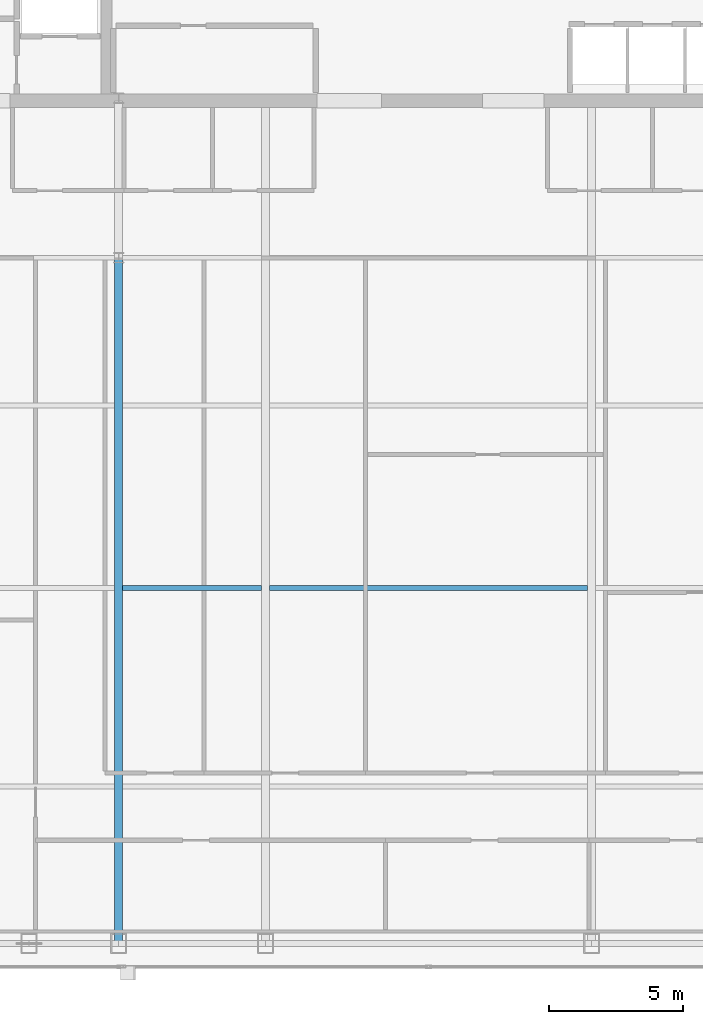
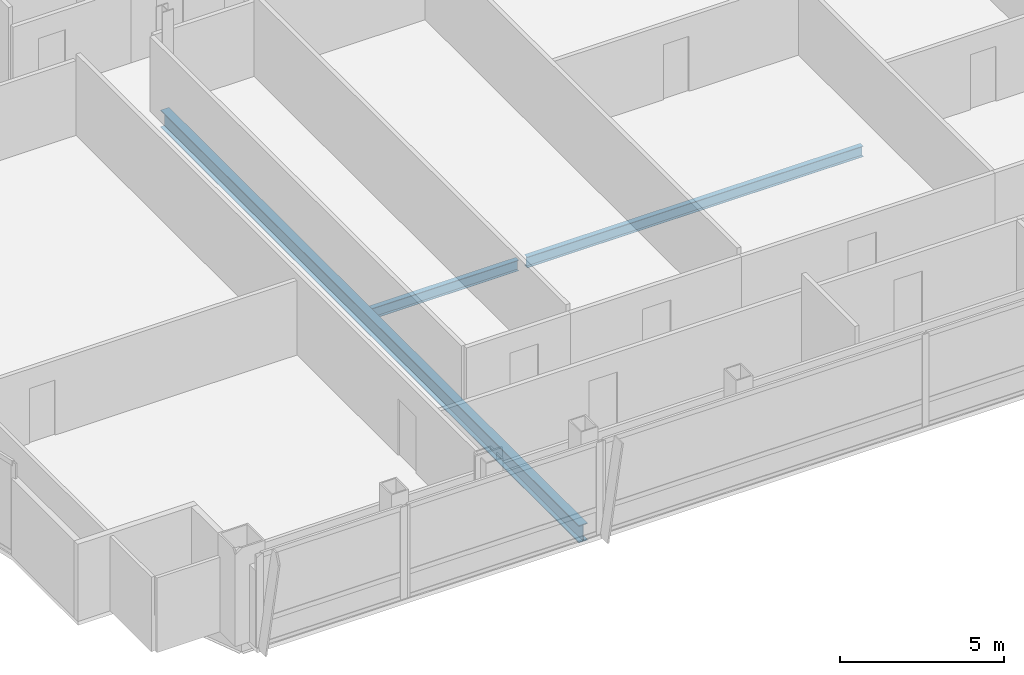
# One storey, part 9 of 30: 3 beams.
"""IFC4 building model written with IfcOpenShell, lengths in metres."""

from ifc_helpers import new_model, si_unit, direction, frame, origin, origin_2d, place, context, subcontext, project, spatial, i_section, extrude, material, material_profile, profile_set, type_object, element, save


model = new_model("IFC4")

# Units and contexts
model_context = context("Model", 3, precision=1e-05, world=origin(), true_north=direction((0.0, 1.0)))
body_context = subcontext(model_context, "Body", "Model", "MODEL_VIEW")
ifc_project = project(units=[si_unit("LENGTHUNIT", "METRE"), si_unit("AREAUNIT", "SQUARE_METRE"), si_unit("VOLUMEUNIT", "CUBIC_METRE"), si_unit("PLANEANGLEUNIT", "RADIAN"), si_unit("MASSUNIT", "GRAM", prefix="KILO")], contexts=[model_context])

# Site, building, storey
site_placement = place(None, origin())
site = spatial("IfcSite", under=ifc_project, at=site_placement, CompositionType="ELEMENT")
building_placement = place(site_placement, origin())
building = spatial("IfcBuilding", under=site, at=building_placement, Name="Khoronbel Lancet Exchange", CompositionType="ELEMENT")
storey_placement = place(building_placement, frame((0.0, 0.0, 269.800048828125)))
storey = spatial("IfcBuildingStorey", under=building, at=storey_placement, Name="L69", CompositionType="ELEMENT", Elevation=269.800048828125)

# Beams
ifc_material = material(Name="Steel S355", Category="steel")
ifc_material_profile_1 = material_profile(ifc_material, i_section(OverallWidth=0.300048828125, OverallDepth=0.64990234375, WebThickness=0.01611328125, FlangeThickness=0.031005859375, at=origin_2d()), Name="HEB 650")
ifc_profile_set_1 = profile_set([ifc_material_profile_1], Name="Steel S355")
beam_type_1 = type_object("IfcBeamType", Name="BM-BG4", PredefinedType="BEAM", material=ifc_profile_set_1)
beam_1_placement = place(storey_placement, frame((24.89990234375, 10.14990234375, -0.485107421875), z_axis=(0.0, 1.0, 0.0), x_axis=(-1.0, 0.0, 0.0)))
element("IfcBeam", 1, at=beam_1_placement, inside=storey, type_object=beam_type_1, Name="Level L69 south primary girder GS2", PredefinedType="BEAM", context=body_context, shape_type="SweptSolid", body=[
    extrude(i_section(OverallWidth=0.300048828125, OverallDepth=0.64990234375, WebThickness=0.01611328125, FlangeThickness=0.031005859375, at=origin_2d()), origin(), (0.0, 0.0, 1.0), 25.550048828125),
])
ifc_material_profile_2 = material_profile(ifc_material, i_section(OverallWidth=0.179931640625, OverallDepth=0.39990234375, WebThickness=0.008544921875, FlangeThickness=0.013427734375, at=origin_2d()), Name="IPE 400")
ifc_profile_set_2 = profile_set([ifc_material_profile_2], Name="Steel S355")
beam_type_2 = type_object("IfcBeamType", Name="BM-BJ5", PredefinedType="JOIST", material=ifc_profile_set_2)
beam_2_placement = place(storey_placement, frame((25.050048828125, 23.39990234375, -0.360107421875), z_axis=(1.0, 0.0, 0.0), x_axis=(0.0, 1.0, 0.0)))
element("IfcBeam", 2, at=beam_2_placement, inside=storey, type_object=beam_type_2, Name="Level L69 secondary composite joist J07", PredefinedType="JOIST", context=body_context, shape_type="SweptSolid", body=[
    extrude(i_section(OverallWidth=0.179931640625, OverallDepth=0.39990234375, WebThickness=0.008544921875, FlangeThickness=0.013427734375, at=origin_2d()), origin(), (0.0, 0.0, 1.0), 5.175048828125),
])
beam_3_placement = place(storey_placement, frame((30.52490234375, 23.39990234375, -0.360107421875), z_axis=(1.0, 0.0, 0.0), x_axis=(0.0, 1.0, 0.0)))
element("IfcBeam", 3, at=beam_3_placement, inside=storey, type_object=beam_type_2, Name="Level L69 secondary composite joist J08", PredefinedType="JOIST", context=body_context, shape_type="SweptSolid", body=[
    extrude(i_section(OverallWidth=0.179931640625, OverallDepth=0.39990234375, WebThickness=0.008544921875, FlangeThickness=0.013427734375, at=origin_2d()), origin(), (0.0, 0.0, 1.0), 11.85009765625),
])

save(model, "model.ifc")
